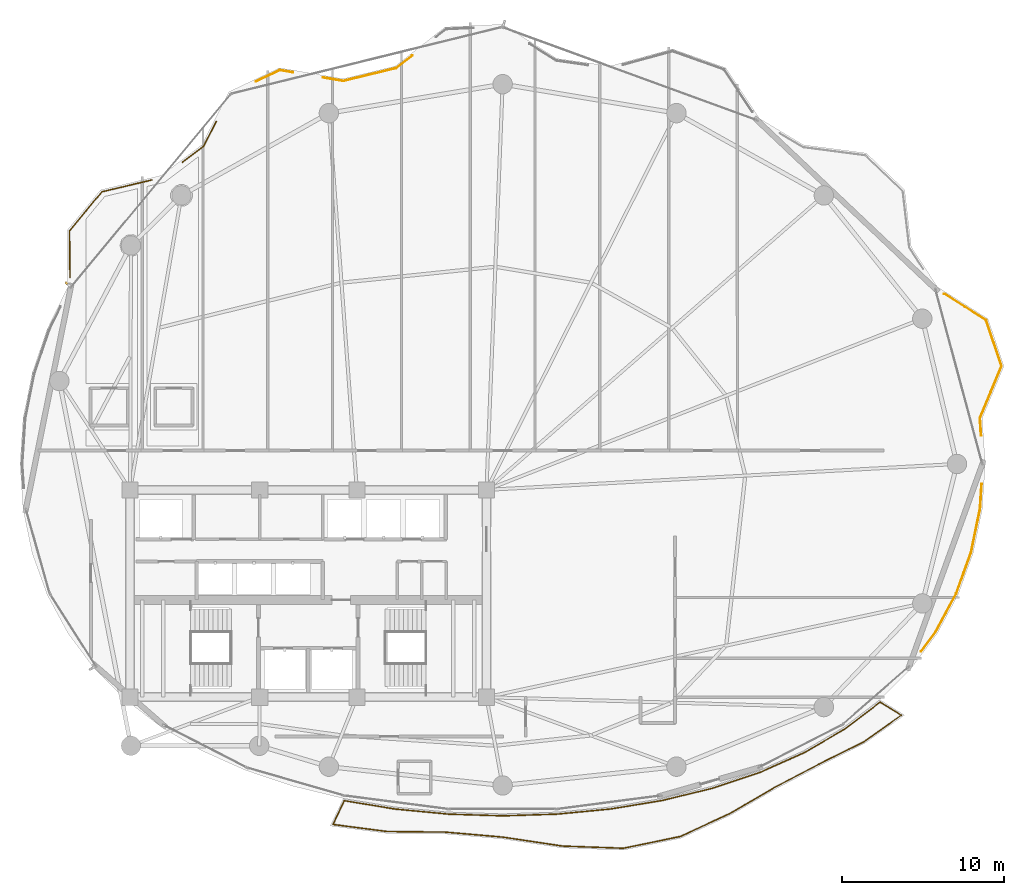
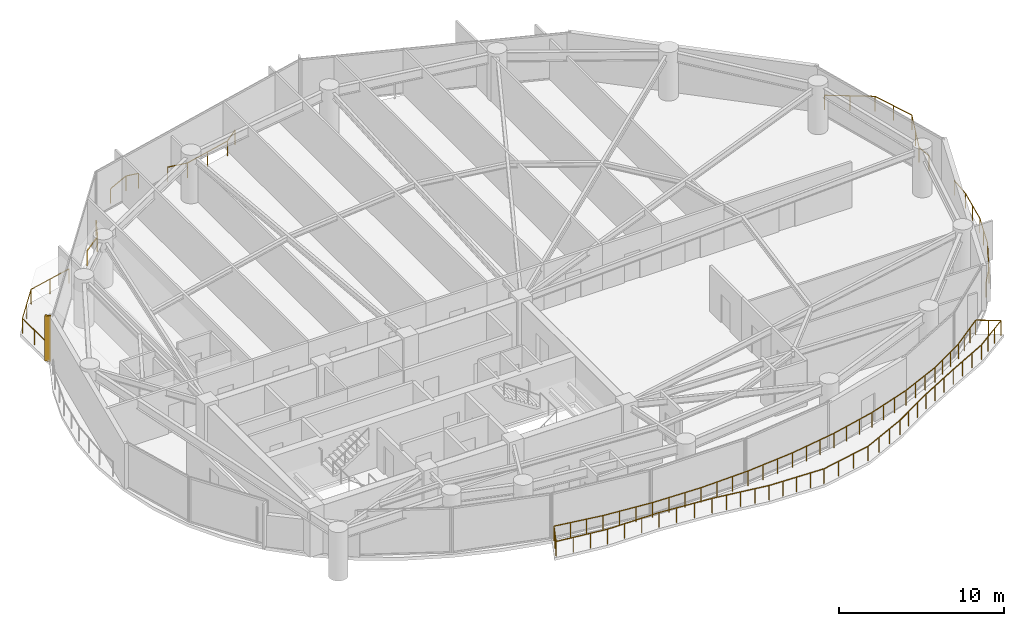
# One storey, part 27 of 28: 7 railings, 1 shading device.
"""IFC4 building model written with IfcOpenShell, lengths in metres."""

import ifcopenshell
import ifcopenshell.guid

model = None  # the IFC model being written
_history = None  # IfcOwnerHistory: only IFC2X3 demands one
_inside = {}  # id of a spatial element -> (the spatial element, [elements in it])
_under = {}  # id of a project, library or spatial element -> (it, [spatial elements below it])
_declared = {}  # id of a project -> (the project, [libraries it declares])
_typed = {}  # id of a type object -> (the type object, [elements of that type])
_made_of = {}  # id of a material, layer set ... -> (it, [elements and type objects made of it])


def new_model(schema):
    """Start an empty IFC model of exactly this schema.

    Asked for "IFC4X3", IfcOpenShell would pick the latest addendum, in which some entities
    have other attributes; the version numbers below select the first issue.
    IFC2X3 requires an IfcOwnerHistory on every rooted entity: one is made here for all.
    """
    global model, _history
    if schema == "IFC4X3":
        model = ifcopenshell.file(schema_version=(4, 3, 0, 0))
    else:
        model = ifcopenshell.file(schema=schema)
    _inside.clear()
    _under.clear()
    _declared.clear()
    _typed.clear()
    _made_of.clear()
    _history = None
    if model.schema == "IFC2X3":
        org = make("IfcOrganization", Name="unknown")
        user = make(
            "IfcPersonAndOrganization",
            ThePerson=make("IfcPerson", FamilyName="unknown"),
            TheOrganization=org,
        )
        app = make(
            "IfcApplication",
            ApplicationDeveloper=org,
            Version="unknown",
            ApplicationFullName="unknown",
            ApplicationIdentifier="unknown",
        )
        _history = make(
            "IfcOwnerHistory",
            OwningUser=user,
            OwningApplication=app,
            ChangeAction="ADDED",
            CreationDate=0,
        )
    return model


def make(cls, **values):
    """One entity of the class cls with the attributes given. An attribute that is None is left unset."""
    return model.create_entity(
        cls, **{name: value for name, value in values.items() if value is not None}
    )


def rooted(cls, **values):
    """An entity with a GlobalId (a new one), such as an element, a storey or a relation."""
    return make(cls, GlobalId=ifcopenshell.guid.new(), OwnerHistory=_history, **values)


def si_unit(unit_type, name, prefix=None):
    """IfcSIUnit, for example si_unit("LENGTHUNIT", "METRE", prefix="MILLI")."""
    return make("IfcSIUnit", UnitType=unit_type, Prefix=prefix, Name=name)


def assignment(units):
    """IfcUnitAssignment: the units of a project."""
    return None if units is None else make("IfcUnitAssignment", Units=units)


def point(xyz):
    """IfcCartesianPoint."""
    return None if xyz is None else make("IfcCartesianPoint", Coordinates=xyz)


def direction(xyz):
    """IfcDirection."""
    return None if xyz is None else make("IfcDirection", DirectionRatios=xyz)


def frame(location, z_axis=None, x_axis=None):
    """IfcAxis2Placement3D, a coordinate frame: its origin and axes. An axis left out is left unset."""
    return make(
        "IfcAxis2Placement3D",
        Location=point(location),
        Axis=direction(z_axis),
        RefDirection=direction(x_axis),
    )


def frame_2d(location, x_axis=None):
    """IfcAxis2Placement2D, a coordinate frame in the plane: its origin and x axis."""
    return make(
        "IfcAxis2Placement2D", Location=point(location), RefDirection=direction(x_axis)
    )


def origin():
    """The frame at (0, 0, 0) with its axes left unset."""
    return frame((0.0, 0.0, 0.0))


def origin_2d():
    """The frame at (0, 0) in the plane with its x axis left unset."""
    return frame_2d((0.0, 0.0))


def place(relative_to, where):
    """IfcLocalPlacement: puts the frame where relative to a parent placement (None: the world)."""
    return make(
        "IfcLocalPlacement", PlacementRelTo=relative_to, RelativePlacement=where
    )


def context(
    kind, dimensions, precision=None, world=None, true_north=None, identifier=None
):
    """IfcGeometricRepresentationContext, for example the 3D "Model" context."""
    return make(
        "IfcGeometricRepresentationContext",
        ContextIdentifier=identifier,
        ContextType=kind,
        CoordinateSpaceDimension=dimensions,
        Precision=precision,
        WorldCoordinateSystem=world,
        TrueNorth=true_north,
    )


def subcontext(parent, identifier, kind, view, scale=None):
    """IfcGeometricRepresentationSubContext, for example "Body" below "Model"."""
    return make(
        "IfcGeometricRepresentationSubContext",
        ContextIdentifier=identifier,
        ContextType=kind,
        ParentContext=parent,
        TargetScale=scale,
        TargetView=view,
    )


def project(units=None, contexts=None):
    """IfcProject with its units and contexts."""
    return rooted(
        "IfcProject",
        Name="project",
        RepresentationContexts=contexts,
        UnitsInContext=assignment(units),
    )


def spatial(cls, under=None, at=None, **own):
    """A site, building, storey or space (cls), placed at a placement, below another one or the project."""
    s = rooted(cls, ObjectPlacement=at, **own)
    if under is not None:
        _under.setdefault(under.id(), (under, []))[1].append(s)
    return s


def profile(cls, at=None, kind="AREA", **sizes):
    """A parametric profile (cls). Its sizes go by their IFC names, for example OverallWidth=200.0."""
    return make(cls, ProfileType=kind, Position=at, **sizes)


def rectangle(**sizes):
    """IfcRectangleProfileDef."""
    return profile("IfcRectangleProfileDef", **sizes)


def extrude(swept, where, along, depth):
    """IfcExtrudedAreaSolid: the profile swept, set in the frame where, extruded along a direction by depth."""
    return make(
        "IfcExtrudedAreaSolid",
        SweptArea=swept,
        Position=where,
        ExtrudedDirection=direction(along),
        Depth=depth,
    )


def shape(context_of_items, identifier, shape_type, items):
    """IfcShapeRepresentation: the items that make up one representation, for example the "Body"."""
    return make(
        "IfcShapeRepresentation",
        ContextOfItems=context_of_items,
        RepresentationIdentifier=identifier,
        RepresentationType=shape_type,
        Items=items,
    )


def material(Name=None, Category=None):
    """IfcMaterial."""
    return make("IfcMaterial", Name=Name, Category=Category)


def made_of(thing, what):
    """Note that an element or type object is made of a material, layer set ...; save() writes the relation."""
    if what is not None:
        _made_of.setdefault(what.id(), (what, []))[1].append(thing)
    return thing


def type_object(cls, material=None, **own):
    """A type object (cls), such as IfcWallType, which elements share."""
    return made_of(rooted(cls, **own), material)


def element(
    cls,
    number,
    at=None,
    inside=None,
    cuts=None,
    type_object=None,
    material=None,
    context=None,
    identifier="Body",
    shape_type=None,
    held_by="IfcProductDefinitionShape",
    body=None,
    shapes=None,
    **own,
):
    """One element of the class cls, such as IfcWall. Its Tag is "e" and its number.

    at: its placement. inside: the storey or other place that contains it. cuts: it is an
    opening in that element (IfcRelVoidsElement). A single representation is given by context,
    identifier, shape_type and body (its items); several are given by shapes. held_by: the class
    of the entity that holds the representations. save() writes the other relations.
    """
    e = rooted(cls, Tag="e%d" % number, ObjectPlacement=at, **own)
    if body is not None:
        shapes = [shape(context, identifier, shape_type, body)]
    if shapes is not None:
        e.Representation = make(held_by, Representations=shapes)
    if inside is not None:
        _inside.setdefault(inside.id(), (inside, []))[1].append(e)
    if cuts is not None:
        rooted(
            "IfcRelVoidsElement", RelatingBuildingElement=cuts, RelatedOpeningElement=e
        )
    if type_object is not None:
        _typed.setdefault(type_object.id(), (type_object, []))[1].append(e)
    return made_of(e, material)


def aggregate(whole, parts):
    """IfcRelAggregates: a whole, such as a stair, and the parts it consists of."""
    return rooted("IfcRelAggregates", RelatingObject=whole, RelatedObjects=parts)


def save(model, path):
    """Write the relations noted so far, then the file.

    IfcRelAggregates (storeys below a building ...), IfcRelContainedInSpatialStructure (elements
    in a storey), IfcRelDefinesByType, IfcRelAssociatesMaterial and IfcRelDeclares: one each for
    every whole, place, type object, material and project.
    """
    for whole, parts in _under.values():
        aggregate(whole, parts)
    for where, things in _inside.values():
        rooted(
            "IfcRelContainedInSpatialStructure",
            RelatedElements=things,
            RelatingStructure=where,
        )
    for kind, things in _typed.values():
        rooted("IfcRelDefinesByType", RelatedObjects=things, RelatingType=kind)
    for what, things in _made_of.values():
        rooted("IfcRelAssociatesMaterial", RelatedObjects=things, RelatingMaterial=what)
    for by, libraries in _declared.values():
        rooted("IfcRelDeclares", RelatingContext=by, RelatedDefinitions=libraries)
    model.write(path)


model = new_model("IFC4")

# Units and contexts
model_context = context("Model", 3, precision=1e-05, world=origin(), true_north=direction((0.0, 1.0)))
body_context = subcontext(model_context, "Body", "Model", "MODEL_VIEW")
ifc_project = project(units=[si_unit("LENGTHUNIT", "METRE"), si_unit("AREAUNIT", "SQUARE_METRE"), si_unit("VOLUMEUNIT", "CUBIC_METRE"), si_unit("PLANEANGLEUNIT", "RADIAN"), si_unit("MASSUNIT", "GRAM", prefix="KILO")], contexts=[model_context])

# Site, building, storey
site_placement = place(None, origin())
site = spatial("IfcSite", under=ifc_project, at=site_placement, CompositionType="ELEMENT")
building_placement = place(site_placement, origin())
building = spatial("IfcBuilding", under=site, at=building_placement, Name="Kazevale Care Tower and Concert Hall", CompositionType="ELEMENT")
storey_placement = place(building_placement, frame((0.0, 0.0, 142.199951171875)))
storey = spatial("IfcBuildingStorey", under=building, at=storey_placement, Name="L37", CompositionType="ELEMENT", Elevation=142.199951171875)

# Railings
ifc_material_1 = material(Name="Anodised Bronze Aluminium and Laminated Glass", Category="aluminium")
railing_type = type_object("IfcRailingType", Name="Balcony and Terrace Balustrade 1120", PredefinedType="BALUSTRADE", material=ifc_material_1)
railing_1_placement = place(storey_placement, frame((18.284912109375, 49.514892578125, 0.0)))
element("IfcRailing", 1, at=railing_1_placement, inside=storey, type_object=railing_type, Name="rail:L37:perim:2", PredefinedType="BALUSTRADE", context=body_context, shape_type="SweptSolid", body=[
    extrude(rectangle(XDim=0.048095703125, YDim=0.048095703125, at=origin_2d()), frame((0.0, 0.0, 1.09619140625), z_axis=(-0.009663022595, 0.999953311907, 0.0), x_axis=(-0.999953311907, -0.009663022595, 0.0)), (0.0, 0.0, 1.0), 2.88037109375),
    extrude(rectangle(XDim=0.048095703125, YDim=0.048095703125, at=origin_2d()), frame((-0.02783203125, 2.880126953125, 1.09619140625), z_axis=(0.638670809668, 0.769480082184, 0.0), x_axis=(-0.769480082184, 0.638670809668, 0.0)), (0.0, 0.0, 1.0), 3.128173828125),
    extrude(rectangle(XDim=0.048095703125, YDim=0.048095703125, at=origin_2d()), frame((1.969970703125, 5.287109375, 1.09619140625), z_axis=(0.972887880692, 0.231277261318, 0.0), x_axis=(-0.231277261318, 0.972887880692, 0.0)), (0.0, 0.0, 1.0), 3.173095703125),
    extrude(rectangle(XDim=0.0419921875, YDim=0.0419921875, at=origin_2d()), origin(), (0.0, 0.0, 1.0), 1.072021484375),
    extrude(rectangle(XDim=0.0419921875, YDim=0.0419921875, at=origin_2d()), frame((-0.013916015625, 1.43994140625, 0.0)), (0.0, 0.0, 1.0), 1.072021484375),
    extrude(rectangle(XDim=0.0419921875, YDim=0.0419921875, at=origin_2d()), frame((-0.02783203125, 2.880126953125, 0.0)), (0.0, 0.0, 1.0), 1.072021484375),
    extrude(rectangle(XDim=0.0419921875, YDim=0.0419921875, at=origin_2d()), frame((0.97119140625, 4.08349609375, 0.0)), (0.0, 0.0, 1.0), 1.072021484375),
    extrude(rectangle(XDim=0.0419921875, YDim=0.0419921875, at=origin_2d()), frame((1.969970703125, 5.287109375, 0.0)), (0.0, 0.0, 1.0), 1.072021484375),
    extrude(rectangle(XDim=0.0419921875, YDim=0.0419921875, at=origin_2d()), frame((3.513671875, 5.654052734375, 0.0)), (0.0, 0.0, 1.0), 1.072021484375),
    extrude(rectangle(XDim=0.0419921875, YDim=0.0419921875, at=origin_2d()), frame((5.05712890625, 6.02099609375, 0.0)), (0.0, 0.0, 1.0), 1.072021484375),
])
railing_2_placement = place(storey_placement, frame((25.239013671875, 56.634033203125, 0.0)))
element("IfcRailing", 2, at=railing_2_placement, inside=storey, type_object=railing_type, Name="rail:L37:perim:3", PredefinedType="BALUSTRADE", context=body_context, shape_type="SweptSolid", body=[
    extrude(rectangle(XDim=0.048095703125, YDim=0.048095703125, at=origin_2d()), frame((0.0, 0.0, 1.09619140625), z_axis=(0.797677030582, 0.603084865406, 0.0), x_axis=(-0.603084865406, 0.797677030582, 0.0)), (0.0, 0.0, 1.0), 1.618408203125),
    extrude(rectangle(XDim=0.048095703125, YDim=0.048095703125, at=origin_2d()), frame((1.291015625, 0.97607421875, 1.09619140625), z_axis=(0.456653164706, 0.889644809553, 0.0), x_axis=(-0.889644809553, 0.456653164706, 0.0)), (0.0, 0.0, 1.0), 1.72314453125),
    extrude(rectangle(XDim=0.0419921875, YDim=0.0419921875, at=origin_2d()), origin(), (0.0, 0.0, 1.0), 1.072021484375),
    extrude(rectangle(XDim=0.0419921875, YDim=0.0419921875, at=origin_2d()), frame((1.291015625, 0.97607421875, 0.0)), (0.0, 0.0, 1.0), 1.072021484375),
    extrude(rectangle(XDim=0.0419921875, YDim=0.0419921875, at=origin_2d()), frame((2.077880859375, 2.509033203125, 0.0)), (0.0, 0.0, 1.0), 1.072021484375),
])
railing_3_placement = place(storey_placement, frame((29.77392578125, 61.62109375, 0.0)))
element("IfcRailing", 3, at=railing_3_placement, inside=storey, type_object=railing_type, Name="rail:L37:perim:4", PredefinedType="BALUSTRADE", context=body_context, shape_type="SweptSolid", body=[
    extrude(rectangle(XDim=0.048095703125, YDim=0.048095703125, at=origin_2d()), frame((0.0, 0.0, 1.09619140625), z_axis=(0.904089143641, 0.427343913436, 0.0), x_axis=(-0.427343913436, 0.904089143641, 0.0)), (0.0, 0.0, 1.0), 1.6259765625),
    extrude(rectangle(XDim=0.048095703125, YDim=0.048095703125, at=origin_2d()), frame((1.469970703125, 0.69482421875, 1.09619140625), z_axis=(0.985522864431, -0.169542571894, 0.0), x_axis=(0.169542571894, 0.985522864431, 0.0)), (0.0, 0.0, 1.0), 0.807861328125),
    extrude(rectangle(XDim=0.0419921875, YDim=0.0419921875, at=origin_2d()), origin(), (0.0, 0.0, 1.0), 1.072021484375),
    extrude(rectangle(XDim=0.0419921875, YDim=0.0419921875, at=origin_2d()), frame((1.469970703125, 0.69482421875, 0.0)), (0.0, 0.0, 1.0), 1.072021484375),
    extrude(rectangle(XDim=0.0419921875, YDim=0.0419921875, at=origin_2d()), frame((2.26611328125, 0.557861328125, 0.0)), (0.0, 0.0, 1.0), 1.072021484375),
])
railing_4_placement = place(storey_placement, frame((33.9130859375, 61.85791015625, 0.0)))
element("IfcRailing", 4, at=railing_4_placement, inside=storey, type_object=railing_type, Name="rail:L37:perim:5", PredefinedType="BALUSTRADE", context=body_context, shape_type="SweptSolid", body=[
    extrude(rectangle(XDim=0.048095703125, YDim=0.048095703125, at=origin_2d()), frame((0.0, 0.0, 1.09619140625), z_axis=(0.98554889076, -0.169391215599, 0.0), x_axis=(0.169391215599, 0.98554889076, 0.0)), (0.0, 0.0, 1.0), 1.268310546875),
    extrude(rectangle(XDim=0.048095703125, YDim=0.048095703125, at=origin_2d()), frame((1.25, -0.21484375, 1.09619140625), z_axis=(0.971597725557, 0.236638669056, 0.0), x_axis=(-0.236638669056, 0.971597725557, 0.0)), (0.0, 0.0, 1.0), 3.36328125),
    extrude(rectangle(XDim=0.048095703125, YDim=0.048095703125, at=origin_2d()), frame((4.517822265625, 0.5810546875, 1.09619140625), z_axis=(0.787242218243, 0.616643892224, 0.0), x_axis=(-0.616643892224, 0.787242218243, 0.0)), (0.0, 0.0, 1.0), 1.255126953125),
    extrude(rectangle(XDim=0.0419921875, YDim=0.0419921875, at=origin_2d()), origin(), (0.0, 0.0, 1.0), 1.072021484375),
    extrude(rectangle(XDim=0.0419921875, YDim=0.0419921875, at=origin_2d()), frame((1.25, -0.21484375, 0.0)), (0.0, 0.0, 1.0), 1.072021484375),
    extrude(rectangle(XDim=0.0419921875, YDim=0.0419921875, at=origin_2d()), frame((2.8837890625, 0.18310546875, 0.0)), (0.0, 0.0, 1.0), 1.072021484375),
    extrude(rectangle(XDim=0.0419921875, YDim=0.0419921875, at=origin_2d()), frame((4.517822265625, 0.5810546875, 0.0)), (0.0, 0.0, 1.0), 1.072021484375),
    extrude(rectangle(XDim=0.0419921875, YDim=0.0419921875, at=origin_2d()), frame((5.505859375, 1.35498046875, 0.0)), (0.0, 0.0, 1.0), 1.072021484375),
])
railing_5_placement = place(storey_placement, frame((74.576904296875, 36.76611328125, 0.0)))
element("IfcRailing", 5, at=railing_5_placement, inside=storey, type_object=railing_type, Name="rail:L37:perim:10", PredefinedType="BALUSTRADE", context=body_context, shape_type="SweptSolid", body=[
    extrude(rectangle(XDim=0.048095703125, YDim=0.048095703125, at=origin_2d()), frame((0.0, 0.0, 1.09619140625), z_axis=(-0.066164353261, -0.997808738365, 0.0), x_axis=(0.997808738365, -0.066164353261, 0.0)), (0.0, 0.0, 1.0), 1.553466796875),
    extrude(rectangle(XDim=0.048095703125, YDim=0.048095703125, at=origin_2d()), frame((-0.102783203125, -1.550048828125, 1.09619140625), z_axis=(-0.202611486218, -0.979259202485, 0.0), x_axis=(0.979259202485, -0.202611486218, 0.0)), (0.0, 0.0, 1.0), 2.744873046875),
    extrude(rectangle(XDim=0.048095703125, YDim=0.048095703125, at=origin_2d()), frame((-0.658935546875, -4.238037109375, 1.09619140625), z_axis=(-0.339653342944, -0.940550693279, 0.0), x_axis=(0.940550693279, -0.339653342944, 0.0)), (0.0, 0.0, 1.0), 2.70263671875),
    extrude(rectangle(XDim=0.048095703125, YDim=0.048095703125, at=origin_2d()), frame((-1.576904296875, -6.780029296875, 1.09619140625), z_axis=(-0.473735648305, -0.880667096879, 0.0), x_axis=(0.880667096879, -0.473735648305, 0.0)), (0.0, 0.0, 1.0), 2.6787109375),
    extrude(rectangle(XDim=0.048095703125, YDim=0.048095703125, at=origin_2d()), frame((-2.845947265625, -9.13916015625, 1.09619140625), z_axis=(-0.597990687273, -0.801503049236, 0.0), x_axis=(0.801503049236, -0.597990687273, 0.0)), (0.0, 0.0, 1.0), 1.498291015625),
    extrude(rectangle(XDim=0.0419921875, YDim=0.0419921875, at=origin_2d()), origin(), (0.0, 0.0, 1.0), 1.072021484375),
    extrude(rectangle(XDim=0.0419921875, YDim=0.0419921875, at=origin_2d()), frame((-0.102783203125, -1.550048828125, 0.0)), (0.0, 0.0, 1.0), 1.072021484375),
    extrude(rectangle(XDim=0.0419921875, YDim=0.0419921875, at=origin_2d()), frame((-0.380859375, -2.89404296875, 0.0)), (0.0, 0.0, 1.0), 1.072021484375),
    extrude(rectangle(XDim=0.0419921875, YDim=0.0419921875, at=origin_2d()), frame((-0.658935546875, -4.238037109375, 0.0)), (0.0, 0.0, 1.0), 1.072021484375),
    extrude(rectangle(XDim=0.0419921875, YDim=0.0419921875, at=origin_2d()), frame((-1.117919921875, -5.509033203125, 0.0)), (0.0, 0.0, 1.0), 1.072021484375),
    extrude(rectangle(XDim=0.0419921875, YDim=0.0419921875, at=origin_2d()), frame((-1.576904296875, -6.780029296875, 0.0)), (0.0, 0.0, 1.0), 1.072021484375),
    extrude(rectangle(XDim=0.0419921875, YDim=0.0419921875, at=origin_2d()), frame((-2.21142578125, -7.95947265625, 0.0)), (0.0, 0.0, 1.0), 1.072021484375),
    extrude(rectangle(XDim=0.0419921875, YDim=0.0419921875, at=origin_2d()), frame((-2.845947265625, -9.13916015625, 0.0)), (0.0, 0.0, 1.0), 1.072021484375),
    extrude(rectangle(XDim=0.0419921875, YDim=0.0419921875, at=origin_2d()), frame((-3.741943359375, -10.340087890625, 0.0)), (0.0, 0.0, 1.0), 1.072021484375),
])
railing_6_placement = place(storey_placement, frame((72.26904296875, 48.50390625, 0.0)))
element("IfcRailing", 6, at=railing_6_placement, inside=storey, type_object=railing_type, Name="rail:L37:perim:11", PredefinedType="BALUSTRADE", context=body_context, shape_type="SweptSolid", body=[
    extrude(rectangle(XDim=0.048095703125, YDim=0.048095703125, at=origin_2d()), frame((0.0, 0.0, 1.09619140625), z_axis=(0.845853460202, -0.533415338985, 0.0), x_axis=(0.533415338985, 0.845853460202, 0.0)), (0.0, 0.0, 1.0), 3.0537109375),
    extrude(rectangle(XDim=0.048095703125, YDim=0.048095703125, at=origin_2d()), frame((2.5830078125, -1.62890625, 1.09619140625), z_axis=(0.319318641442, -0.94764740554, 0.0), x_axis=(0.94764740554, 0.319318641442, 0.0)), (0.0, 0.0, 1.0), 2.984130859375),
    extrude(rectangle(XDim=0.048095703125, YDim=0.048095703125, at=origin_2d()), frame((3.535888671875, -4.456787109375, 1.09619140625), z_axis=(-0.384555415187, -0.923101908052, 0.0), x_axis=(0.923101908052, -0.384555415187, 0.0)), (0.0, 0.0, 1.0), 3.468994140625),
    extrude(rectangle(XDim=0.048095703125, YDim=0.048095703125, at=origin_2d()), frame((2.201904296875, -7.658935546875, 1.09619140625), z_axis=(0.06569131841, -0.997839992527, 0.0), x_axis=(0.997839992527, 0.06569131841, 0.0)), (0.0, 0.0, 1.0), 1.096435546875),
    extrude(rectangle(XDim=0.0419921875, YDim=0.0419921875, at=origin_2d()), origin(), (0.0, 0.0, 1.0), 1.072021484375),
    extrude(rectangle(XDim=0.0419921875, YDim=0.0419921875, at=origin_2d()), frame((1.29150390625, -0.814453125, 0.0)), (0.0, 0.0, 1.0), 1.072021484375),
    extrude(rectangle(XDim=0.0419921875, YDim=0.0419921875, at=origin_2d()), frame((2.5830078125, -1.62890625, 0.0)), (0.0, 0.0, 1.0), 1.072021484375),
    extrude(rectangle(XDim=0.0419921875, YDim=0.0419921875, at=origin_2d()), frame((3.0595703125, -3.04296875, 0.0)), (0.0, 0.0, 1.0), 1.072021484375),
    extrude(rectangle(XDim=0.0419921875, YDim=0.0419921875, at=origin_2d()), frame((3.535888671875, -4.456787109375, 0.0)), (0.0, 0.0, 1.0), 1.072021484375),
    extrude(rectangle(XDim=0.0419921875, YDim=0.0419921875, at=origin_2d()), frame((2.868896484375, -6.057861328125, 0.0)), (0.0, 0.0, 1.0), 1.072021484375),
    extrude(rectangle(XDim=0.0419921875, YDim=0.0419921875, at=origin_2d()), frame((2.201904296875, -7.658935546875, 0.0)), (0.0, 0.0, 1.0), 1.072021484375),
    extrude(rectangle(XDim=0.0419921875, YDim=0.0419921875, at=origin_2d()), frame((2.27392578125, -8.7529296875, 0.0)), (0.0, 0.0, 1.0), 1.072021484375),
])
railing_7_placement = place(storey_placement, frame((35.22509765625, 17.2099609375, 0.0)))
element("IfcRailing", 7, at=railing_7_placement, inside=storey, type_object=railing_type, Name="rail:L37:balcony", PredefinedType="BALUSTRADE", context=body_context, shape_type="SweptSolid", body=[
    extrude(rectangle(XDim=0.048095703125, YDim=0.048095703125, at=origin_2d()), frame((0.0, 0.0, 1.09619140625), z_axis=(0.986720826515, -0.162425399869, 0.0), x_axis=(0.162425399869, 0.986720826515, 0.0)), (0.0, 0.0, 1.0), 3.169921875),
    extrude(rectangle(XDim=0.048095703125, YDim=0.048095703125, at=origin_2d()), frame((3.1279296875, -0.514892578125, 1.09619140625), z_axis=(0.995477928413, -0.09499312629, 0.0), x_axis=(0.09499312629, 0.995477928413, 0.0)), (0.0, 0.0, 1.0), 3.31787109375),
    extrude(rectangle(XDim=0.048095703125, YDim=0.048095703125, at=origin_2d()), frame((6.430908203125, -0.830078125, 1.09619140625), z_axis=(0.999507580629, -0.031378276971, 0.0), x_axis=(0.031378276971, 0.999507580629, 0.0)), (0.0, 0.0, 1.0), 3.345703125),
    extrude(rectangle(XDim=0.048095703125, YDim=0.048095703125, at=origin_2d()), frame((9.77490234375, -0.93505859375, 1.09619140625), z_axis=(0.999507580629, 0.031378276971, 0.0), x_axis=(-0.031378276971, 0.999507580629, 0.0)), (0.0, 0.0, 1.0), 3.345703125),
    extrude(rectangle(XDim=0.048095703125, YDim=0.048095703125, at=origin_2d()), frame((13.118896484375, -0.830078125, 1.09619140625), z_axis=(0.995477928413, 0.09499312629, 0.0), x_axis=(-0.09499312629, 0.995477928413, 0.0)), (0.0, 0.0, 1.0), 3.31787109375),
    extrude(rectangle(XDim=0.048095703125, YDim=0.048095703125, at=origin_2d()), frame((16.421875, -0.514892578125, 1.09619140625), z_axis=(0.986673526711, 0.162712481659, 0.0), x_axis=(-0.162712481659, 0.986673526711, 0.0)), (0.0, 0.0, 1.0), 3.263427734375),
    extrude(rectangle(XDim=0.048095703125, YDim=0.048095703125, at=origin_2d()), frame((19.641845703125, 0.01611328125, 1.09619140625), z_axis=(0.971769261323, 0.235933259095, 0.0), x_axis=(-0.235933259095, 0.971769261323, 0.0)), (0.0, 0.0, 1.0), 3.187255859375),
    extrude(rectangle(XDim=0.048095703125, YDim=0.048095703125, at=origin_2d()), frame((22.739013671875, 0.76806640625, 1.09619140625), z_axis=(0.948264523365, 0.317481328155, 0.0), x_axis=(-0.317481328155, 0.948264523365, 0.0)), (0.0, 0.0, 1.0), 3.095947265625),
    extrude(rectangle(XDim=0.048095703125, YDim=0.048095703125, at=origin_2d()), frame((25.6748046875, 1.7509765625, 1.09619140625), z_axis=(0.913377633239, 0.407113373766, 0.0), x_axis=(-0.407113373766, 0.913377633239, 0.0)), (0.0, 0.0, 1.0), 2.99658203125),
    extrude(rectangle(XDim=0.048095703125, YDim=0.048095703125, at=origin_2d()), frame((28.411865234375, 2.970947265625, 1.09619140625), z_axis=(0.863507127078, 0.504336635082, 0.0), x_axis=(-0.504336635082, 0.863507127078, 0.0)), (0.0, 0.0, 1.0), 2.901123046875),
    extrude(rectangle(XDim=0.048095703125, YDim=0.048095703125, at=origin_2d()), frame((30.9169921875, 4.43408203125, 1.09619140625), z_axis=(0.795030778338, 0.606569090455, 0.0), x_axis=(-0.606569090455, 0.795030778338, 0.0)), (0.0, 0.0, 1.0), 2.726806640625),
    extrude(rectangle(XDim=0.048095703125, YDim=0.048095703125, at=origin_2d()), frame((33.0849609375, 6.088134765625, 1.09619140625), z_axis=(0.848213207605, -0.529654939035, 0.0), x_axis=(0.529654939035, 0.848213207605, 0.0)), (0.0, 0.0, 1.0), 1.53125),
    extrude(rectangle(XDim=0.048095703125, YDim=0.048095703125, at=origin_2d()), frame((34.3837890625, 5.277099609375, 1.09619140625), z_axis=(-0.815795156165, -0.578340957548, 0.0), x_axis=(0.578340957548, -0.815795156165, 0.0)), (0.0, 0.0, 1.0), 2.825439453125),
    extrude(rectangle(XDim=0.048095703125, YDim=0.048095703125, at=origin_2d()), frame((32.078857421875, 3.64306640625, 1.09619140625), z_axis=(-0.894176668832, -0.447714289382, 0.0), x_axis=(0.447714289382, -0.894176668832, 0.0)), (0.0, 0.0, 1.0), 3.1201171875),
    extrude(rectangle(XDim=0.048095703125, YDim=0.048095703125, at=origin_2d()), frame((29.288818359375, 2.24609375, 1.09619140625), z_axis=(-0.885731179391, -0.464198532802, 0.0), x_axis=(0.464198532802, -0.885731179391, 0.0)), (0.0, 0.0, 1.0), 3.095703125),
    extrude(rectangle(XDim=0.048095703125, YDim=0.048095703125, at=origin_2d()), frame((26.546875, 0.80908203125, 1.09619140625), z_axis=(-0.863893385212, -0.503674715453, 0.0), x_axis=(0.503674715453, -0.863893385212, 0.0)), (0.0, 0.0, 1.0), 3.170654296875),
    extrude(rectangle(XDim=0.048095703125, YDim=0.048095703125, at=origin_2d()), frame((23.807861328125, -0.787841796875, 1.09619140625), z_axis=(-0.906966461078, -0.421202847188, 0.0), x_axis=(0.421202847188, -0.906966461078, 0.0)), (0.0, 0.0, 1.0), 3.369384765625),
    extrude(rectangle(XDim=0.048095703125, YDim=0.048095703125, at=origin_2d()), frame((20.751953125, -2.20703125, 1.09619140625), z_axis=(-0.979177656595, -0.203005213786, 0.0), x_axis=(0.203005213786, -0.979177656595, 0.0)), (0.0, 0.0, 1.0), 3.595947265625),
    extrude(rectangle(XDim=0.048095703125, YDim=0.048095703125, at=origin_2d()), frame((17.23095703125, -2.93701171875, 1.09619140625), z_axis=(-0.999357393068, 0.035844119754, 0.0), x_axis=(-0.035844119754, -0.999357393068, 0.0)), (0.0, 0.0, 1.0), 3.7666015625),
    extrude(rectangle(XDim=0.048095703125, YDim=0.048095703125, at=origin_2d()), frame((13.466796875, -2.802001953125, 1.09619140625), z_axis=(-0.988885740424, 0.148677477734, 0.0), x_axis=(-0.148677477734, -0.988885740424, 0.0)), (0.0, 0.0, 1.0), 3.71923828125),
    extrude(rectangle(XDim=0.048095703125, YDim=0.048095703125, at=origin_2d()), frame((9.788818359375, -2.2490234375, 1.09619140625), z_axis=(-0.996241615045, 0.086617806788, 0.0), x_axis=(-0.086617806788, -0.996241615045, 0.0)), (0.0, 0.0, 1.0), 3.568359375),
    extrude(rectangle(XDim=0.048095703125, YDim=0.048095703125, at=origin_2d()), frame((6.23388671875, -1.93994140625, 1.09619140625), z_axis=(-0.99994733924, 0.010262492233, 0.0), x_axis=(-0.010262492233, -0.99994733924, 0.0)), (0.0, 0.0, 1.0), 3.59228515625),
    extrude(rectangle(XDim=0.048095703125, YDim=0.048095703125, at=origin_2d()), frame((2.641845703125, -1.903076171875, 1.09619140625), z_axis=(-0.991591115654, 0.129410429855, 0.0), x_axis=(-0.129410429855, -0.991591115654, 0.0)), (0.0, 0.0, 1.0), 3.369384765625),
    extrude(rectangle(XDim=0.048095703125, YDim=0.048095703125, at=origin_2d()), frame((-0.69921875, -1.467041015625, 1.09619140625), z_axis=(0.430248446577, 0.902710515181, 0.0), x_axis=(-0.902710515181, 0.430248446577, 0.0)), (0.0, 0.0, 1.0), 1.625244140625),
    extrude(rectangle(XDim=0.0419921875, YDim=0.0419921875, at=origin_2d()), origin(), (0.0, 0.0, 1.0), 1.072021484375),
    extrude(rectangle(XDim=0.0419921875, YDim=0.0419921875, at=origin_2d()), frame((1.042724609375, -0.171630859375, 0.0)), (0.0, 0.0, 1.0), 1.072021484375),
    extrude(rectangle(XDim=0.0419921875, YDim=0.0419921875, at=origin_2d()), frame((2.085205078125, -0.34326171875, 0.0)), (0.0, 0.0, 1.0), 1.072021484375),
    extrude(rectangle(XDim=0.0419921875, YDim=0.0419921875, at=origin_2d()), frame((3.1279296875, -0.514892578125, 0.0)), (0.0, 0.0, 1.0), 1.072021484375),
    extrude(rectangle(XDim=0.0419921875, YDim=0.0419921875, at=origin_2d()), frame((4.22900390625, -0.619873046875, 0.0)), (0.0, 0.0, 1.0), 1.072021484375),
    extrude(rectangle(XDim=0.0419921875, YDim=0.0419921875, at=origin_2d()), frame((5.329833984375, -0.72509765625, 0.0)), (0.0, 0.0, 1.0), 1.072021484375),
    extrude(rectangle(XDim=0.0419921875, YDim=0.0419921875, at=origin_2d()), frame((6.430908203125, -0.830078125, 0.0)), (0.0, 0.0, 1.0), 1.072021484375),
    extrude(rectangle(XDim=0.0419921875, YDim=0.0419921875, at=origin_2d()), frame((7.545654296875, -0.864990234375, 0.0)), (0.0, 0.0, 1.0), 1.072021484375),
    extrude(rectangle(XDim=0.0419921875, YDim=0.0419921875, at=origin_2d()), frame((8.66015625, -0.900146484375, 0.0)), (0.0, 0.0, 1.0), 1.072021484375),
    extrude(rectangle(XDim=0.0419921875, YDim=0.0419921875, at=origin_2d()), frame((9.77490234375, -0.93505859375, 0.0)), (0.0, 0.0, 1.0), 1.072021484375),
    extrude(rectangle(XDim=0.0419921875, YDim=0.0419921875, at=origin_2d()), frame((10.8896484375, -0.900146484375, 0.0)), (0.0, 0.0, 1.0), 1.072021484375),
    extrude(rectangle(XDim=0.0419921875, YDim=0.0419921875, at=origin_2d()), frame((12.004150390625, -0.864990234375, 0.0)), (0.0, 0.0, 1.0), 1.072021484375),
    extrude(rectangle(XDim=0.0419921875, YDim=0.0419921875, at=origin_2d()), frame((13.118896484375, -0.830078125, 0.0)), (0.0, 0.0, 1.0), 1.072021484375),
    extrude(rectangle(XDim=0.0419921875, YDim=0.0419921875, at=origin_2d()), frame((14.219970703125, -0.72509765625, 0.0)), (0.0, 0.0, 1.0), 1.072021484375),
    extrude(rectangle(XDim=0.0419921875, YDim=0.0419921875, at=origin_2d()), frame((15.32080078125, -0.619873046875, 0.0)), (0.0, 0.0, 1.0), 1.072021484375),
    extrude(rectangle(XDim=0.0419921875, YDim=0.0419921875, at=origin_2d()), frame((16.421875, -0.514892578125, 0.0)), (0.0, 0.0, 1.0), 1.072021484375),
    extrude(rectangle(XDim=0.0419921875, YDim=0.0419921875, at=origin_2d()), frame((17.4951171875, -0.337890625, 0.0)), (0.0, 0.0, 1.0), 1.072021484375),
    extrude(rectangle(XDim=0.0419921875, YDim=0.0419921875, at=origin_2d()), frame((18.568603515625, -0.160888671875, 0.0)), (0.0, 0.0, 1.0), 1.072021484375),
    extrude(rectangle(XDim=0.0419921875, YDim=0.0419921875, at=origin_2d()), frame((19.641845703125, 0.01611328125, 0.0)), (0.0, 0.0, 1.0), 1.072021484375),
    extrude(rectangle(XDim=0.0419921875, YDim=0.0419921875, at=origin_2d()), frame((20.67431640625, 0.266845703125, 0.0)), (0.0, 0.0, 1.0), 1.072021484375),
    extrude(rectangle(XDim=0.0419921875, YDim=0.0419921875, at=origin_2d()), frame((21.70654296875, 0.517333984375, 0.0)), (0.0, 0.0, 1.0), 1.072021484375),
    extrude(rectangle(XDim=0.0419921875, YDim=0.0419921875, at=origin_2d()), frame((22.739013671875, 0.76806640625, 0.0)), (0.0, 0.0, 1.0), 1.072021484375),
    extrude(rectangle(XDim=0.0419921875, YDim=0.0419921875, at=origin_2d()), frame((23.717529296875, 1.095703125, 0.0)), (0.0, 0.0, 1.0), 1.072021484375),
    extrude(rectangle(XDim=0.0419921875, YDim=0.0419921875, at=origin_2d()), frame((24.6962890625, 1.42333984375, 0.0)), (0.0, 0.0, 1.0), 1.072021484375),
    extrude(rectangle(XDim=0.0419921875, YDim=0.0419921875, at=origin_2d()), frame((25.6748046875, 1.7509765625, 0.0)), (0.0, 0.0, 1.0), 1.072021484375),
    extrude(rectangle(XDim=0.0419921875, YDim=0.0419921875, at=origin_2d()), frame((26.587158203125, 2.15771484375, 0.0)), (0.0, 0.0, 1.0), 1.072021484375),
    extrude(rectangle(XDim=0.0419921875, YDim=0.0419921875, at=origin_2d()), frame((27.49951171875, 2.564208984375, 0.0)), (0.0, 0.0, 1.0), 1.072021484375),
    extrude(rectangle(XDim=0.0419921875, YDim=0.0419921875, at=origin_2d()), frame((28.411865234375, 2.970947265625, 0.0)), (0.0, 0.0, 1.0), 1.072021484375),
    extrude(rectangle(XDim=0.0419921875, YDim=0.0419921875, at=origin_2d()), frame((29.246826171875, 3.458740234375, 0.0)), (0.0, 0.0, 1.0), 1.072021484375),
    extrude(rectangle(XDim=0.0419921875, YDim=0.0419921875, at=origin_2d()), frame((30.08203125, 3.9462890625, 0.0)), (0.0, 0.0, 1.0), 1.072021484375),
    extrude(rectangle(XDim=0.0419921875, YDim=0.0419921875, at=origin_2d()), frame((30.9169921875, 4.43408203125, 0.0)), (0.0, 0.0, 1.0), 1.072021484375),
    extrude(rectangle(XDim=0.0419921875, YDim=0.0419921875, at=origin_2d()), frame((31.6396484375, 4.9853515625, 0.0)), (0.0, 0.0, 1.0), 1.072021484375),
    extrude(rectangle(XDim=0.0419921875, YDim=0.0419921875, at=origin_2d()), frame((32.3623046875, 5.536865234375, 0.0)), (0.0, 0.0, 1.0), 1.072021484375),
    extrude(rectangle(XDim=0.0419921875, YDim=0.0419921875, at=origin_2d()), frame((33.0849609375, 6.088134765625, 0.0)), (0.0, 0.0, 1.0), 1.072021484375),
    extrude(rectangle(XDim=0.0419921875, YDim=0.0419921875, at=origin_2d()), frame((33.734375, 5.6826171875, 0.0)), (0.0, 0.0, 1.0), 1.072021484375),
    extrude(rectangle(XDim=0.0419921875, YDim=0.0419921875, at=origin_2d()), frame((34.3837890625, 5.277099609375, 0.0)), (0.0, 0.0, 1.0), 1.072021484375),
    extrude(rectangle(XDim=0.0419921875, YDim=0.0419921875, at=origin_2d()), frame((33.615478515625, 4.732421875, 0.0)), (0.0, 0.0, 1.0), 1.072021484375),
    extrude(rectangle(XDim=0.0419921875, YDim=0.0419921875, at=origin_2d()), frame((32.84716796875, 4.187744140625, 0.0)), (0.0, 0.0, 1.0), 1.072021484375),
    extrude(rectangle(XDim=0.0419921875, YDim=0.0419921875, at=origin_2d()), frame((32.078857421875, 3.64306640625, 0.0)), (0.0, 0.0, 1.0), 1.072021484375),
    extrude(rectangle(XDim=0.0419921875, YDim=0.0419921875, at=origin_2d()), frame((31.14892578125, 3.177490234375, 0.0)), (0.0, 0.0, 1.0), 1.072021484375),
    extrude(rectangle(XDim=0.0419921875, YDim=0.0419921875, at=origin_2d()), frame((30.21875, 2.711669921875, 0.0)), (0.0, 0.0, 1.0), 1.072021484375),
    extrude(rectangle(XDim=0.0419921875, YDim=0.0419921875, at=origin_2d()), frame((29.288818359375, 2.24609375, 0.0)), (0.0, 0.0, 1.0), 1.072021484375),
    extrude(rectangle(XDim=0.0419921875, YDim=0.0419921875, at=origin_2d()), frame((28.374755859375, 1.76708984375, 0.0)), (0.0, 0.0, 1.0), 1.072021484375),
    extrude(rectangle(XDim=0.0419921875, YDim=0.0419921875, at=origin_2d()), frame((27.4609375, 1.2880859375, 0.0)), (0.0, 0.0, 1.0), 1.072021484375),
    extrude(rectangle(XDim=0.0419921875, YDim=0.0419921875, at=origin_2d()), frame((26.546875, 0.80908203125, 0.0)), (0.0, 0.0, 1.0), 1.072021484375),
    extrude(rectangle(XDim=0.0419921875, YDim=0.0419921875, at=origin_2d()), frame((25.6337890625, 0.27685546875, 0.0)), (0.0, 0.0, 1.0), 1.072021484375),
    extrude(rectangle(XDim=0.0419921875, YDim=0.0419921875, at=origin_2d()), frame((24.720947265625, -0.255615234375, 0.0)), (0.0, 0.0, 1.0), 1.072021484375),
    extrude(rectangle(XDim=0.0419921875, YDim=0.0419921875, at=origin_2d()), frame((23.807861328125, -0.787841796875, 0.0)), (0.0, 0.0, 1.0), 1.072021484375),
    extrude(rectangle(XDim=0.0419921875, YDim=0.0419921875, at=origin_2d()), frame((22.789306640625, -1.260986328125, 0.0)), (0.0, 0.0, 1.0), 1.072021484375),
    extrude(rectangle(XDim=0.0419921875, YDim=0.0419921875, at=origin_2d()), frame((21.7705078125, -1.73388671875, 0.0)), (0.0, 0.0, 1.0), 1.072021484375),
    extrude(rectangle(XDim=0.0419921875, YDim=0.0419921875, at=origin_2d()), frame((20.751953125, -2.20703125, 0.0)), (0.0, 0.0, 1.0), 1.072021484375),
    extrude(rectangle(XDim=0.0419921875, YDim=0.0419921875, at=origin_2d()), frame((19.578369140625, -2.450439453125, 0.0)), (0.0, 0.0, 1.0), 1.072021484375),
    extrude(rectangle(XDim=0.0419921875, YDim=0.0419921875, at=origin_2d()), frame((18.404541015625, -2.693603515625, 0.0)), (0.0, 0.0, 1.0), 1.072021484375),
    extrude(rectangle(XDim=0.0419921875, YDim=0.0419921875, at=origin_2d()), frame((17.23095703125, -2.93701171875, 0.0)), (0.0, 0.0, 1.0), 1.072021484375),
    extrude(rectangle(XDim=0.0419921875, YDim=0.0419921875, at=origin_2d()), frame((16.2900390625, -2.9033203125, 0.0)), (0.0, 0.0, 1.0), 1.072021484375),
    extrude(rectangle(XDim=0.0419921875, YDim=0.0419921875, at=origin_2d()), frame((15.348876953125, -2.86962890625, 0.0)), (0.0, 0.0, 1.0), 1.072021484375),
    extrude(rectangle(XDim=0.0419921875, YDim=0.0419921875, at=origin_2d()), frame((14.40771484375, -2.835693359375, 0.0)), (0.0, 0.0, 1.0), 1.072021484375),
    extrude(rectangle(XDim=0.0419921875, YDim=0.0419921875, at=origin_2d()), frame((13.466796875, -2.802001953125, 0.0)), (0.0, 0.0, 1.0), 1.072021484375),
    extrude(rectangle(XDim=0.0419921875, YDim=0.0419921875, at=origin_2d()), frame((12.54736328125, -2.663818359375, 0.0)), (0.0, 0.0, 1.0), 1.072021484375),
    extrude(rectangle(XDim=0.0419921875, YDim=0.0419921875, at=origin_2d()), frame((11.6279296875, -2.525390625, 0.0)), (0.0, 0.0, 1.0), 1.072021484375),
    extrude(rectangle(XDim=0.0419921875, YDim=0.0419921875, at=origin_2d()), frame((10.708251953125, -2.38720703125, 0.0)), (0.0, 0.0, 1.0), 1.072021484375),
    extrude(rectangle(XDim=0.0419921875, YDim=0.0419921875, at=origin_2d()), frame((9.788818359375, -2.2490234375, 0.0)), (0.0, 0.0, 1.0), 1.072021484375),
    extrude(rectangle(XDim=0.0419921875, YDim=0.0419921875, at=origin_2d()), frame((8.603759765625, -2.14599609375, 0.0)), (0.0, 0.0, 1.0), 1.072021484375),
    extrude(rectangle(XDim=0.0419921875, YDim=0.0419921875, at=origin_2d()), frame((7.4189453125, -2.04296875, 0.0)), (0.0, 0.0, 1.0), 1.072021484375),
    extrude(rectangle(XDim=0.0419921875, YDim=0.0419921875, at=origin_2d()), frame((6.23388671875, -1.93994140625, 0.0)), (0.0, 0.0, 1.0), 1.072021484375),
    extrude(rectangle(XDim=0.0419921875, YDim=0.0419921875, at=origin_2d()), frame((5.03662109375, -1.927734375, 0.0)), (0.0, 0.0, 1.0), 1.072021484375),
    extrude(rectangle(XDim=0.0419921875, YDim=0.0419921875, at=origin_2d()), frame((3.839111328125, -1.915283203125, 0.0)), (0.0, 0.0, 1.0), 1.072021484375),
    extrude(rectangle(XDim=0.0419921875, YDim=0.0419921875, at=origin_2d()), frame((2.641845703125, -1.903076171875, 0.0)), (0.0, 0.0, 1.0), 1.072021484375),
    extrude(rectangle(XDim=0.0419921875, YDim=0.0419921875, at=origin_2d()), frame((1.528076171875, -1.7578125, 0.0)), (0.0, 0.0, 1.0), 1.072021484375),
    extrude(rectangle(XDim=0.0419921875, YDim=0.0419921875, at=origin_2d()), frame((0.41455078125, -1.6123046875, 0.0)), (0.0, 0.0, 1.0), 1.072021484375),
    extrude(rectangle(XDim=0.0419921875, YDim=0.0419921875, at=origin_2d()), frame((-0.69921875, -1.467041015625, 0.0)), (0.0, 0.0, 1.0), 1.072021484375),
    extrude(rectangle(XDim=0.0419921875, YDim=0.0419921875, at=origin_2d()), frame((-0.349609375, -0.7333984375, 0.0)), (0.0, 0.0, 1.0), 1.072021484375),
])

# Shading device
ifc_material_2 = material(Name="Honed Ochre Limestone", Category="masonry")
shading_device_type = type_object("IfcShadingDeviceType", Name="Vertical Honed Limestone Fin FIN-01", PredefinedType="USERDEFINED", material=ifc_material_2)
shading_device_placement = place(storey_placement, frame((18.14501953125, 49.099853515625, 0.0), z_axis=(0.0, 0.0, 1.0), x_axis=(-0.770068049148, 0.637961754089, 0.0)))
element("IfcShadingDevice", 8, at=shading_device_placement, inside=storey, type_object=shading_device_type, Name="cw:L37:f14:fin", ObjectType="FIN", PredefinedType="USERDEFINED", context=body_context, shape_type="SweptSolid", body=[
    extrude(rectangle(XDim=0.3798828125, YDim=0.1201171875, at=origin_2d()), origin(), (0.0, 0.0, 1.0), 3.360107421875),
])

save(model, "model.ifc")
